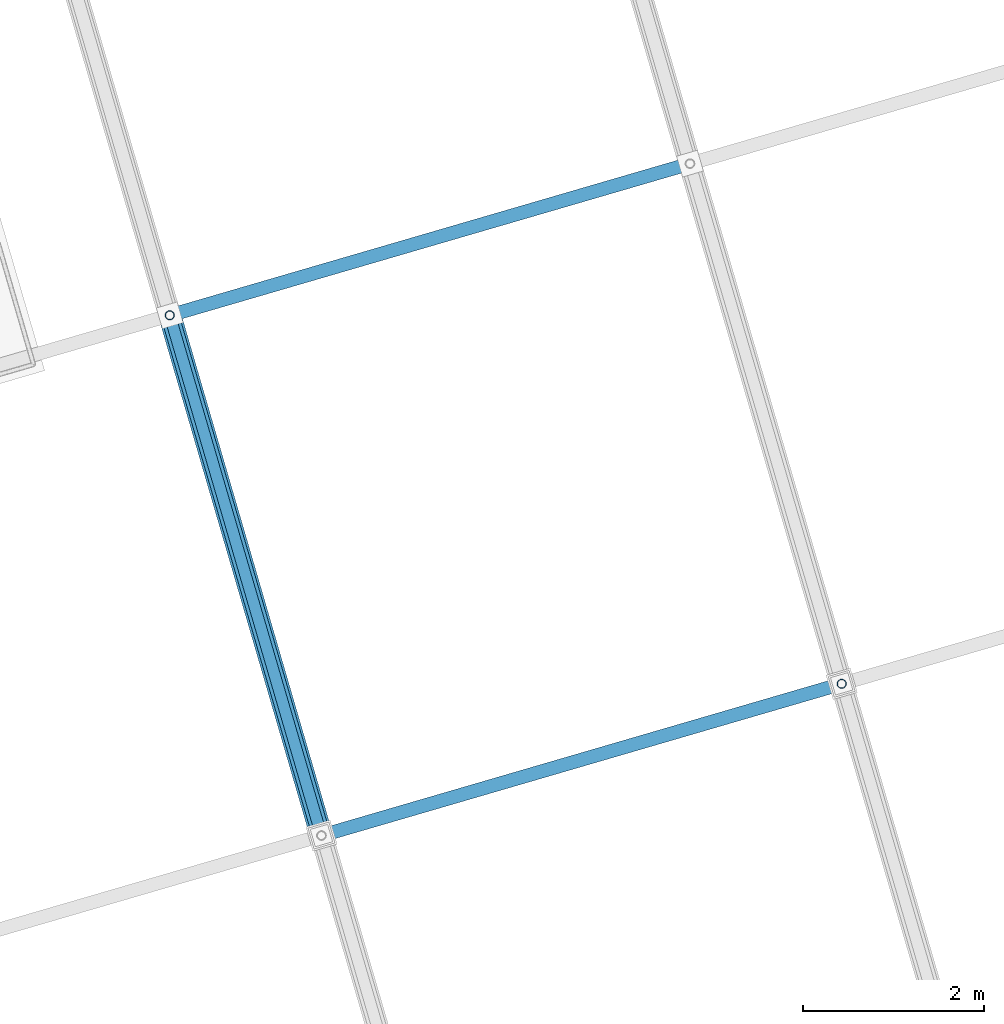
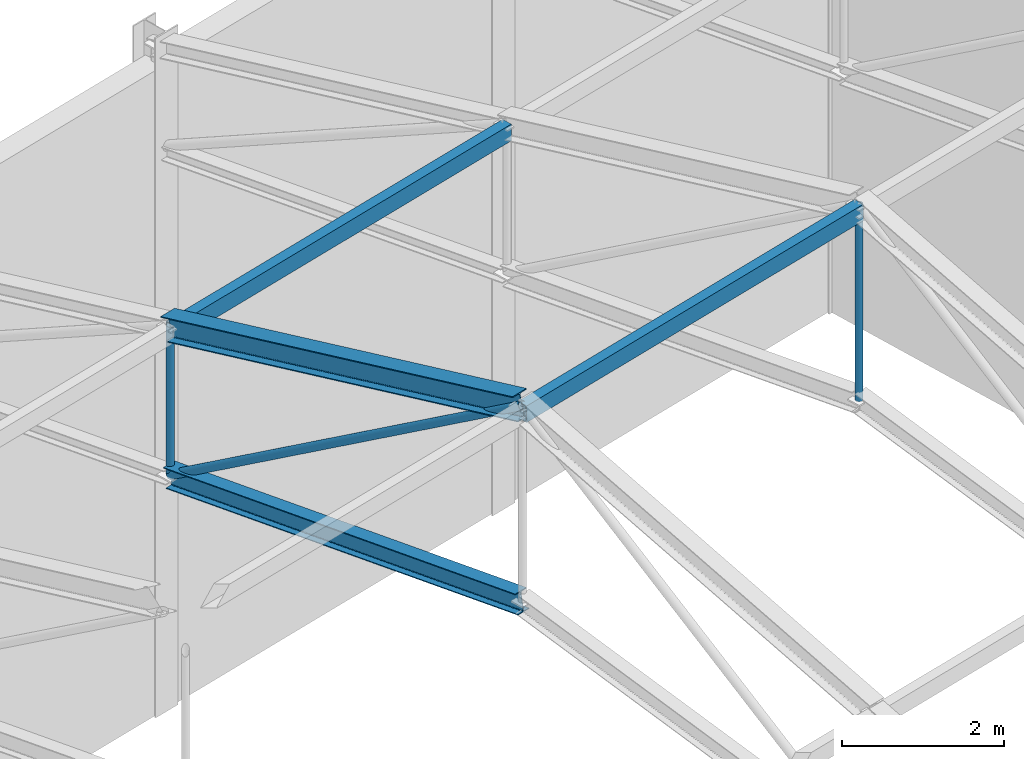
# One storey, part 178 of 248: 7 members.
"""IFC4 building model written with IfcOpenShell, lengths in metres."""

from ifc_helpers import new_model, si_unit, direction, frame, origin, origin_2d, place, context, subcontext, project, spatial, hollow_rectangle, hollow_circle, i_section, extrude, material, material_profile, profile_set, type_object, element, save


model = new_model("IFC4")

# Units and contexts
model_context = context("Model", 3, precision=1e-05, world=origin(), true_north=direction((0.0, 1.0)))
body_context = subcontext(model_context, "Body", "Model", "MODEL_VIEW")
ifc_project = project(units=[si_unit("LENGTHUNIT", "METRE"), si_unit("AREAUNIT", "SQUARE_METRE"), si_unit("VOLUMEUNIT", "CUBIC_METRE"), si_unit("PLANEANGLEUNIT", "RADIAN"), si_unit("MASSUNIT", "GRAM", prefix="KILO")], contexts=[model_context])

# Site, building, storey
site_placement = place(None, origin())
site = spatial("IfcSite", under=ifc_project, at=site_placement, CompositionType="ELEMENT")
building_placement = place(site_placement, origin())
building = spatial("IfcBuilding", under=site, at=building_placement, Name="Canggui Botanical Conservatory", CompositionType="ELEMENT")
storey_placement = place(building_placement, frame((0.0, 0.0, 5.39990234375)))
storey = spatial("IfcBuildingStorey", under=building, at=storey_placement, Name="L02", CompositionType="ELEMENT", Elevation=5.39990234375)

# Members
ifc_material = material(Name="Steel Q355B", Category="steel")
ifc_material_profile_1 = material_profile(ifc_material, hollow_rectangle(XDim=0.14990234375, YDim=0.25, WallThickness=0.008056640625, at=origin_2d()), Name="RHS 150x250x8")
ifc_profile_set_1 = profile_set([ifc_material_profile_1], Name="Steel Q355B")
member_type_1 = type_object("IfcMemberType", Name="MEM-PUR01", PredefinedType="PURLIN", material=ifc_profile_set_1)
for number, where, z_axis, x_axis, name in (
    (1, (79.919921875, 106.56005859375, 13.25), (0.960003190047, 0.279989062464, 0.0), (-0.279989062464, 0.960003190047, 0.0), "Auditorium Roof Purlin 4-2"),
    (2, (78.239990234375, 112.320068359375, 11.550048828125), (0.960003190047, 0.279989062464, 0.0), (-0.279989062464, 0.960003190047, 0.0), "Auditorium Roof Purlin 4-3"),
):
    element("IfcMember", number, at=place(storey_placement, frame(where, z_axis=z_axis, x_axis=x_axis)), inside=storey, type_object=member_type_1, Name=name, PredefinedType="PURLIN", context=body_context, shape_type="SweptSolid", body=[
        extrude(hollow_rectangle(XDim=0.14990234375, YDim=0.25, WallThickness=0.008056640625, at=origin_2d()), origin(), (0.0, 0.0, 1.0), 6.0),
    ])
ifc_material_profile_2 = material_profile(ifc_material, i_section(OverallWidth=0.25, OverallDepth=0.35009765625, WebThickness=0.009033203125, FlangeThickness=0.013916015625, FilletRadius=0.02001953125, at=origin_2d()), Name="HM 350x250x9x14")
ifc_profile_set_2 = profile_set([ifc_material_profile_2], Name="Steel Q355B")
member_type_2 = type_object("IfcMemberType", Name="MEM-TC03", PredefinedType="CHORD", material=ifc_profile_set_2)
member_1_placement = place(storey_placement, frame((79.919921875, 106.56005859375, 13.35009765625), z_axis=(-0.269385502469, 0.923646586216, -0.272595735168), x_axis=(-0.960003190047, -0.279989062464, 0.0)))
element("IfcMember", 3, at=member_1_placement, inside=storey, type_object=member_type_2, Name="Auditorium Truss AT-04 Top Chord 3", PredefinedType="CHORD", context=body_context, shape_type="SweptSolid", body=[
    extrude(i_section(OverallWidth=0.25, OverallDepth=0.35009765625, WebThickness=0.009033203125, FlangeThickness=0.013916015625, FilletRadius=0.02001953125, at=origin_2d()), origin(), (0.0, 0.0, 1.0), 6.236083984375),
])
ifc_material_profile_3 = material_profile(ifc_material, i_section(OverallWidth=0.199951171875, OverallDepth=0.300048828125, WebThickness=0.008056640625, FlangeThickness=0.011962890625, FilletRadius=0.01806640625, at=origin_2d()), Name="HM 300x200x8x12")
ifc_profile_set_3 = profile_set([ifc_material_profile_3], Name="Steel Q355B")
member_type_3 = type_object("IfcMemberType", Name="MEM-TC04", PredefinedType="CHORD", material=ifc_profile_set_3)
member_2_placement = place(storey_placement, frame((79.919921875, 106.56005859375, 10.400146484375), z_axis=(-0.276179497805, 0.946941271868, -0.16439924764), x_axis=(-0.960003190047, -0.279989062464, 0.0)))
element("IfcMember", 4, at=member_2_placement, inside=storey, type_object=member_type_3, Name="Auditorium Truss AT-04 Bottom Chord 3", PredefinedType="CHORD", context=body_context, shape_type="SweptSolid", body=[
    extrude(i_section(OverallWidth=0.199951171875, OverallDepth=0.300048828125, WebThickness=0.008056640625, FlangeThickness=0.011962890625, FilletRadius=0.01806640625, at=origin_2d()), origin(), (0.0, 0.0, 1.0), 6.082763671875),
])
ifc_material_profile_4 = material_profile(ifc_material, hollow_circle(Radius=0.0634765625, WallThickness=0.006103515625, at=origin_2d()), Name="CHS 127x6")
ifc_profile_set_4 = profile_set([ifc_material_profile_4], Name="Steel Q355B")
member_type_4 = type_object("IfcMemberType", Name="MEM-TW02", PredefinedType="BRACE", material=ifc_profile_set_4)
member_3_placement = place(storey_placement, frame((78.239990234375, 112.320068359375, 9.400146484375), z_axis=(0.233861297543, -0.801844149531, 0.54986803269), x_axis=(0.960003190047, 0.279989062464, 0.0)))
element("IfcMember", 5, at=member_3_placement, inside=storey, type_object=member_type_4, Name="Auditorium Truss AT-04 Web Diagonal 3", PredefinedType="BRACE", context=body_context, shape_type="SweptSolid", body=[
    extrude(hollow_circle(Radius=0.0634765625, WallThickness=0.006103515625, at=origin_2d()), origin(), (0.0, 0.0, 1.0), 7.183349609375),
])
ifc_material_profile_5 = material_profile(ifc_material, hollow_circle(Radius=0.051025390625, WallThickness=0.0048828125, at=origin_2d()), Name="CHS 102x5")
ifc_profile_set_5 = profile_set([ifc_material_profile_5], Name="Steel Q355B")
member_type_5 = type_object("IfcMemberType", Name="MEM-TW04", PredefinedType="BRACE", material=ifc_profile_set_5)
member_4_placement = place(storey_placement, frame((78.239990234375, 112.320068359375, 9.400146484375), z_axis=(0.0, 0.0, 1.0), x_axis=(1.0, 0.0, 0.0)))
element("IfcMember", 6, at=member_4_placement, inside=storey, type_object=member_type_5, Name="Auditorium Truss AT-04 Vertical Post 4", PredefinedType="BRACE", context=body_context, shape_type="SweptSolid", body=[
    extrude(hollow_circle(Radius=0.051025390625, WallThickness=0.0048828125, at=origin_2d()), origin(), (0.0, 0.0, 1.0), 2.25),
])
member_5_placement = place(storey_placement, frame((85.679931640625, 108.239990234375, 10.400146484375), z_axis=(0.0, 0.0, 1.0), x_axis=(1.0, 0.0, 0.0)))
element("IfcMember", 7, at=member_5_placement, inside=storey, type_object=member_type_5, Name="Auditorium Truss AT-05 Vertical Post 3", PredefinedType="BRACE", context=body_context, shape_type="SweptSolid", body=[
    extrude(hollow_circle(Radius=0.051025390625, WallThickness=0.0048828125, at=origin_2d()), origin(), (0.0, 0.0, 1.0), 2.949951171875),
])

save(model, "model.ifc")
